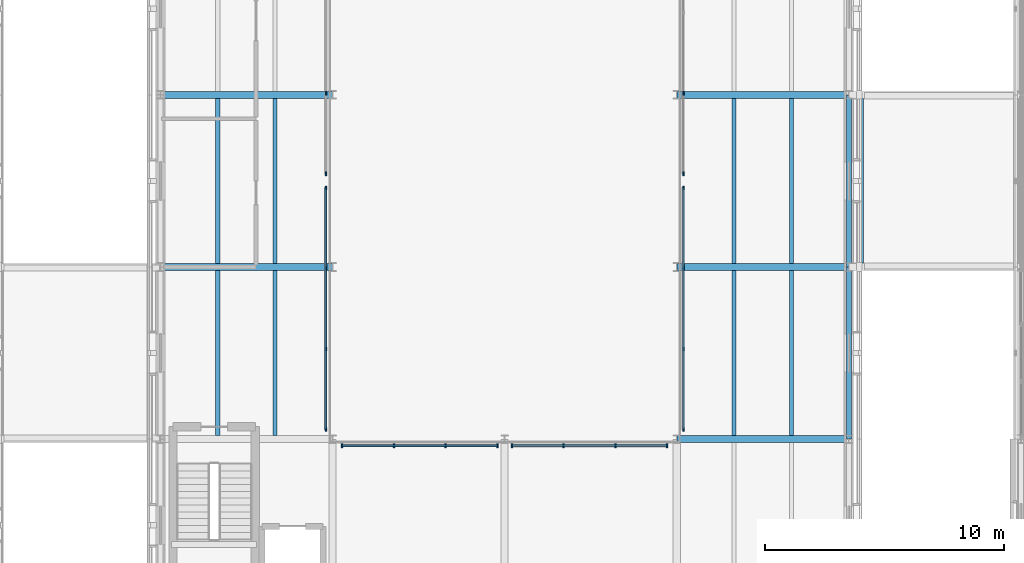
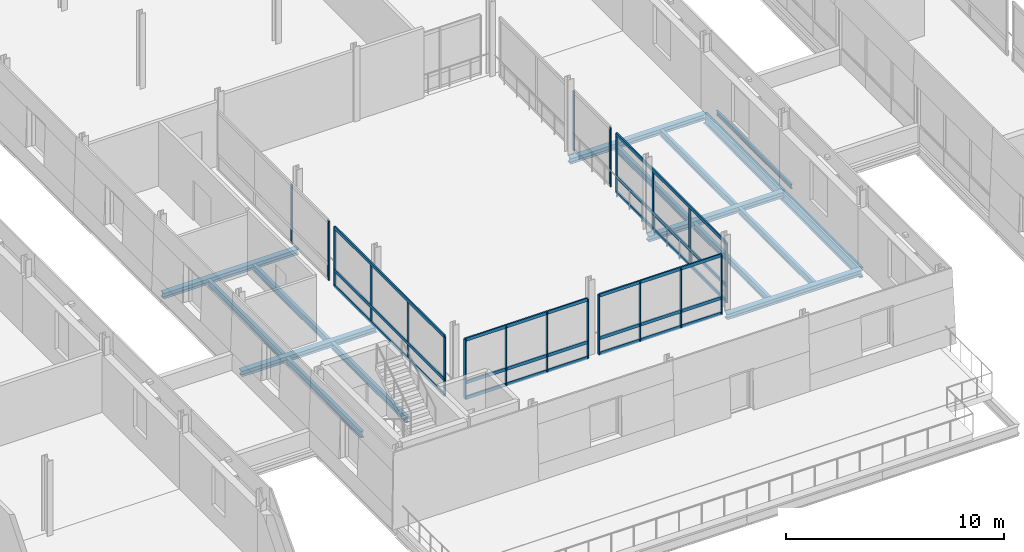
# One storey, part 18 of 91: 32 members, 16 beams, 6 elements without a shape of their own.
"""IFC4 building model written with IfcOpenShell, lengths in metres."""

import ifcopenshell
import ifcopenshell.guid

model = None  # the IFC model being written
_history = None  # IfcOwnerHistory: only IFC2X3 demands one
_inside = {}  # id of a spatial element -> (the spatial element, [elements in it])
_under = {}  # id of a project, library or spatial element -> (it, [spatial elements below it])
_declared = {}  # id of a project -> (the project, [libraries it declares])
_typed = {}  # id of a type object -> (the type object, [elements of that type])
_made_of = {}  # id of a material, layer set ... -> (it, [elements and type objects made of it])


def new_model(schema):
    """Start an empty IFC model of exactly this schema.

    Asked for "IFC4X3", IfcOpenShell would pick the latest addendum, in which some entities
    have other attributes; the version numbers below select the first issue.
    IFC2X3 requires an IfcOwnerHistory on every rooted entity: one is made here for all.
    """
    global model, _history
    if schema == "IFC4X3":
        model = ifcopenshell.file(schema_version=(4, 3, 0, 0))
    else:
        model = ifcopenshell.file(schema=schema)
    _inside.clear()
    _under.clear()
    _declared.clear()
    _typed.clear()
    _made_of.clear()
    _history = None
    if model.schema == "IFC2X3":
        org = make("IfcOrganization", Name="unknown")
        user = make(
            "IfcPersonAndOrganization",
            ThePerson=make("IfcPerson", FamilyName="unknown"),
            TheOrganization=org,
        )
        app = make(
            "IfcApplication",
            ApplicationDeveloper=org,
            Version="unknown",
            ApplicationFullName="unknown",
            ApplicationIdentifier="unknown",
        )
        _history = make(
            "IfcOwnerHistory",
            OwningUser=user,
            OwningApplication=app,
            ChangeAction="ADDED",
            CreationDate=0,
        )
    return model


def make(cls, **values):
    """One entity of the class cls with the attributes given. An attribute that is None is left unset."""
    return model.create_entity(
        cls, **{name: value for name, value in values.items() if value is not None}
    )


def rooted(cls, **values):
    """An entity with a GlobalId (a new one), such as an element, a storey or a relation."""
    return make(cls, GlobalId=ifcopenshell.guid.new(), OwnerHistory=_history, **values)


def si_unit(unit_type, name, prefix=None):
    """IfcSIUnit, for example si_unit("LENGTHUNIT", "METRE", prefix="MILLI")."""
    return make("IfcSIUnit", UnitType=unit_type, Prefix=prefix, Name=name)


def assignment(units):
    """IfcUnitAssignment: the units of a project."""
    return None if units is None else make("IfcUnitAssignment", Units=units)


def point(xyz):
    """IfcCartesianPoint."""
    return None if xyz is None else make("IfcCartesianPoint", Coordinates=xyz)


def direction(xyz):
    """IfcDirection."""
    return None if xyz is None else make("IfcDirection", DirectionRatios=xyz)


def frame(location, z_axis=None, x_axis=None):
    """IfcAxis2Placement3D, a coordinate frame: its origin and axes. An axis left out is left unset."""
    return make(
        "IfcAxis2Placement3D",
        Location=point(location),
        Axis=direction(z_axis),
        RefDirection=direction(x_axis),
    )


def frame_2d(location, x_axis=None):
    """IfcAxis2Placement2D, a coordinate frame in the plane: its origin and x axis."""
    return make(
        "IfcAxis2Placement2D", Location=point(location), RefDirection=direction(x_axis)
    )


def origin():
    """The frame at (0, 0, 0) with its axes left unset."""
    return frame((0.0, 0.0, 0.0))


def origin_2d():
    """The frame at (0, 0) in the plane with its x axis left unset."""
    return frame_2d((0.0, 0.0))


def place(relative_to, where):
    """IfcLocalPlacement: puts the frame where relative to a parent placement (None: the world)."""
    return make(
        "IfcLocalPlacement", PlacementRelTo=relative_to, RelativePlacement=where
    )


def context(
    kind, dimensions, precision=None, world=None, true_north=None, identifier=None
):
    """IfcGeometricRepresentationContext, for example the 3D "Model" context."""
    return make(
        "IfcGeometricRepresentationContext",
        ContextIdentifier=identifier,
        ContextType=kind,
        CoordinateSpaceDimension=dimensions,
        Precision=precision,
        WorldCoordinateSystem=world,
        TrueNorth=true_north,
    )


def subcontext(parent, identifier, kind, view, scale=None):
    """IfcGeometricRepresentationSubContext, for example "Body" below "Model"."""
    return make(
        "IfcGeometricRepresentationSubContext",
        ContextIdentifier=identifier,
        ContextType=kind,
        ParentContext=parent,
        TargetScale=scale,
        TargetView=view,
    )


def project(units=None, contexts=None):
    """IfcProject with its units and contexts."""
    return rooted(
        "IfcProject",
        Name="project",
        RepresentationContexts=contexts,
        UnitsInContext=assignment(units),
    )


def spatial(cls, under=None, at=None, **own):
    """A site, building, storey or space (cls), placed at a placement, below another one or the project."""
    s = rooted(cls, ObjectPlacement=at, **own)
    if under is not None:
        _under.setdefault(under.id(), (under, []))[1].append(s)
    return s


def profile(cls, at=None, kind="AREA", **sizes):
    """A parametric profile (cls). Its sizes go by their IFC names, for example OverallWidth=200.0."""
    return make(cls, ProfileType=kind, Position=at, **sizes)


def rectangle(**sizes):
    """IfcRectangleProfileDef."""
    return profile("IfcRectangleProfileDef", **sizes)


def i_section(**sizes):
    """IfcIShapeProfileDef."""
    return profile("IfcIShapeProfileDef", **sizes)


def extrude(swept, where, along, depth):
    """IfcExtrudedAreaSolid: the profile swept, set in the frame where, extruded along a direction by depth."""
    return make(
        "IfcExtrudedAreaSolid",
        SweptArea=swept,
        Position=where,
        ExtrudedDirection=direction(along),
        Depth=depth,
    )


def shape(context_of_items, identifier, shape_type, items):
    """IfcShapeRepresentation: the items that make up one representation, for example the "Body"."""
    return make(
        "IfcShapeRepresentation",
        ContextOfItems=context_of_items,
        RepresentationIdentifier=identifier,
        RepresentationType=shape_type,
        Items=items,
    )


def material(Name=None, Category=None):
    """IfcMaterial."""
    return make("IfcMaterial", Name=Name, Category=Category)


def layer(
    of_material, thickness, ventilated=None, Name=None, Category=None, Priority=None
):
    """IfcMaterialLayer: one layer of a wall or slab, of a material (None: an air gap)."""
    return make(
        "IfcMaterialLayer",
        Material=of_material,
        LayerThickness=thickness,
        IsVentilated=ventilated,
        Name=Name,
        Category=Category,
        Priority=Priority,
    )


def layer_set(layers, Name=None):
    """IfcMaterialLayerSet."""
    return make("IfcMaterialLayerSet", MaterialLayers=layers, LayerSetName=Name)


def material_profile(
    of_material, cross_section, Name=None, Category=None, Priority=None
):
    """IfcMaterialProfile: a cross section and its material."""
    return make(
        "IfcMaterialProfile",
        Name=Name,
        Material=of_material,
        Profile=cross_section,
        Priority=Priority,
        Category=Category,
    )


def profile_set(profiles, Name=None, composite=None):
    """IfcMaterialProfileSet."""
    return make(
        "IfcMaterialProfileSet",
        Name=Name,
        MaterialProfiles=profiles,
        CompositeProfile=composite,
    )


def made_of(thing, what):
    """Note that an element or type object is made of a material, layer set ...; save() writes the relation."""
    if what is not None:
        _made_of.setdefault(what.id(), (what, []))[1].append(thing)
    return thing


def type_object(cls, material=None, **own):
    """A type object (cls), such as IfcWallType, which elements share."""
    return made_of(rooted(cls, **own), material)


def element(
    cls,
    number,
    at=None,
    inside=None,
    cuts=None,
    type_object=None,
    material=None,
    context=None,
    identifier="Body",
    shape_type=None,
    held_by="IfcProductDefinitionShape",
    body=None,
    shapes=None,
    **own,
):
    """One element of the class cls, such as IfcWall. Its Tag is "e" and its number.

    at: its placement. inside: the storey or other place that contains it. cuts: it is an
    opening in that element (IfcRelVoidsElement). A single representation is given by context,
    identifier, shape_type and body (its items); several are given by shapes. held_by: the class
    of the entity that holds the representations. save() writes the other relations.
    """
    e = rooted(cls, Tag="e%d" % number, ObjectPlacement=at, **own)
    if body is not None:
        shapes = [shape(context, identifier, shape_type, body)]
    if shapes is not None:
        e.Representation = make(held_by, Representations=shapes)
    if inside is not None:
        _inside.setdefault(inside.id(), (inside, []))[1].append(e)
    if cuts is not None:
        rooted(
            "IfcRelVoidsElement", RelatingBuildingElement=cuts, RelatedOpeningElement=e
        )
    if type_object is not None:
        _typed.setdefault(type_object.id(), (type_object, []))[1].append(e)
    return made_of(e, material)


def aggregate(whole, parts):
    """IfcRelAggregates: a whole, such as a stair, and the parts it consists of."""
    return rooted("IfcRelAggregates", RelatingObject=whole, RelatedObjects=parts)


def save(model, path):
    """Write the relations noted so far, then the file.

    IfcRelAggregates (storeys below a building ...), IfcRelContainedInSpatialStructure (elements
    in a storey), IfcRelDefinesByType, IfcRelAssociatesMaterial and IfcRelDeclares: one each for
    every whole, place, type object, material and project.
    """
    for whole, parts in _under.values():
        aggregate(whole, parts)
    for where, things in _inside.values():
        rooted(
            "IfcRelContainedInSpatialStructure",
            RelatedElements=things,
            RelatingStructure=where,
        )
    for kind, things in _typed.values():
        rooted("IfcRelDefinesByType", RelatedObjects=things, RelatingType=kind)
    for what, things in _made_of.values():
        rooted("IfcRelAssociatesMaterial", RelatedObjects=things, RelatingMaterial=what)
    for by, libraries in _declared.values():
        rooted("IfcRelDeclares", RelatingContext=by, RelatedDefinitions=libraries)
    model.write(path)


model = new_model("IFC4")

# Units and contexts
model_context = context("Model", 3, precision=1e-05, world=origin(), true_north=direction((0.0, 1.0)))
body_context = subcontext(model_context, "Body", "Model", "MODEL_VIEW")
ifc_project = project(units=[si_unit("LENGTHUNIT", "METRE"), si_unit("AREAUNIT", "SQUARE_METRE"), si_unit("VOLUMEUNIT", "CUBIC_METRE"), si_unit("PLANEANGLEUNIT", "RADIAN"), si_unit("MASSUNIT", "GRAM", prefix="KILO")], contexts=[model_context])

# Site, building, storey
site_placement = place(None, origin())
site = spatial("IfcSite", under=ifc_project, at=site_placement, CompositionType="ELEMENT")
building_placement = place(site_placement, origin())
building = spatial("IfcBuilding", under=site, at=building_placement, Name="Narikvali Park Central Library", CompositionType="ELEMENT")
storey_placement = place(building_placement, frame((0.0, 0.0, 14.39990234375)))
storey = spatial("IfcBuildingStorey", under=building, at=storey_placement, Name="L03", CompositionType="ELEMENT", Elevation=14.39990234375)

# Curtain wall, members
ifc_material_1 = material(Name="Anodised Bronze Aluminium", Category="aluminium")
ifc_layer = layer(ifc_material_1, 0.219970703125, Name="Anodised Bronze Aluminium")
ifc_layer_set = layer_set([ifc_layer], Name="Anodised Bronze Aluminium")
curtain_wall_type = type_object("IfcCurtainWallType", Name="Atrium Tall Curtain Wall System", PredefinedType="NOTDEFINED", material=ifc_layer_set)
curtain_wall_1_placement = place(storey_placement, origin())
curtain_wall_1 = element("IfcCurtainWall", 1, at=curtain_wall_1_placement, inside=storey, type_object=curtain_wall_type, Name="Atrium Tall Curtain Wall System CW-INT-V4-L03-W1", PredefinedType="NOTDEFINED")
ifc_material_profile_1 = material_profile(ifc_material_1, rectangle(XDim=0.074951171875, YDim=0.179931640625, at=origin_2d()), Name="CW TRANSOM 75x180")
ifc_profile_set_1 = profile_set([ifc_material_profile_1], Name="Anodised Bronze Aluminium")
member_type_1 = type_object("IfcMemberType", Name="Curtain Wall Heavy Transom 75x180", PredefinedType="USERDEFINED", material=ifc_profile_set_1)
member_1_placement = place(storey_placement, frame((35.719970703125, 65.199951171875, 0.030029296875), z_axis=(0.0, 1.0, 0.0), x_axis=(-1.0, 0.0, 0.0)))
member_1 = element("IfcMember", 2, at=member_1_placement, type_object=member_type_1, Name="CW-INT-V4-L03-W1 Transom 00", ObjectType="TRANSOM", PredefinedType="USERDEFINED", context=body_context, shape_type="SweptSolid", body=[
    extrude(rectangle(XDim=0.074951171875, YDim=0.179931640625, at=origin_2d()), origin(), (0.0, 0.0, 1.0), 10.10009765625),
])
member_2_placement = place(storey_placement, frame((35.719970703125, 65.199951171875, 0.900146484375), z_axis=(0.0, 1.0, 0.0), x_axis=(-1.0, 0.0, 0.0)))
member_2 = element("IfcMember", 3, at=member_2_placement, type_object=member_type_1, Name="CW-INT-V4-L03-W1 Transom 01", ObjectType="TRANSOM", PredefinedType="USERDEFINED", context=body_context, shape_type="SweptSolid", body=[
    extrude(rectangle(XDim=0.074951171875, YDim=0.179931640625, at=origin_2d()), origin(), (0.0, 0.0, 1.0), 10.10009765625),
])
member_3_placement = place(storey_placement, frame((35.719970703125, 65.199951171875, 3.2900390625), z_axis=(0.0, 1.0, 0.0), x_axis=(-1.0, 0.0, 0.0)))
member_3 = element("IfcMember", 4, at=member_3_placement, type_object=member_type_1, Name="CW-INT-V4-L03-W1 Transom 02", ObjectType="TRANSOM", PredefinedType="USERDEFINED", context=body_context, shape_type="SweptSolid", body=[
    extrude(rectangle(XDim=0.074951171875, YDim=0.179931640625, at=origin_2d()), origin(), (0.0, 0.0, 1.0), 10.10009765625),
])

curtain_wall_2_placement = place(storey_placement, origin())
curtain_wall_2 = element("IfcCurtainWall", 5, at=curtain_wall_2_placement, inside=storey, type_object=curtain_wall_type, Name="Atrium Tall Curtain Wall System CW-INT-V4-L03-E1", PredefinedType="NOTDEFINED")
member_4_placement = place(storey_placement, frame((50.679931640625, 65.199951171875, 0.030029296875), z_axis=(0.0, 1.0, 0.0), x_axis=(-1.0, 0.0, 0.0)))
member_4 = element("IfcMember", 6, at=member_4_placement, type_object=member_type_1, Name="CW-INT-V4-L03-E1 Transom 00", ObjectType="TRANSOM", PredefinedType="USERDEFINED", context=body_context, shape_type="SweptSolid", body=[
    extrude(rectangle(XDim=0.074951171875, YDim=0.179931640625, at=origin_2d()), origin(), (0.0, 0.0, 1.0), 10.10009765625),
])
member_5_placement = place(storey_placement, frame((50.679931640625, 65.199951171875, 0.900146484375), z_axis=(0.0, 1.0, 0.0), x_axis=(-1.0, 0.0, 0.0)))
member_5 = element("IfcMember", 7, at=member_5_placement, type_object=member_type_1, Name="CW-INT-V4-L03-E1 Transom 01", ObjectType="TRANSOM", PredefinedType="USERDEFINED", context=body_context, shape_type="SweptSolid", body=[
    extrude(rectangle(XDim=0.074951171875, YDim=0.179931640625, at=origin_2d()), origin(), (0.0, 0.0, 1.0), 10.10009765625),
])
member_6_placement = place(storey_placement, frame((50.679931640625, 65.199951171875, 3.2900390625), z_axis=(0.0, 1.0, 0.0), x_axis=(-1.0, 0.0, 0.0)))
member_6 = element("IfcMember", 8, at=member_6_placement, type_object=member_type_1, Name="CW-INT-V4-L03-E1 Transom 02", ObjectType="TRANSOM", PredefinedType="USERDEFINED", context=body_context, shape_type="SweptSolid", body=[
    extrude(rectangle(XDim=0.074951171875, YDim=0.179931640625, at=origin_2d()), origin(), (0.0, 0.0, 1.0), 10.10009765625),
])

curtain_wall_3_placement = place(storey_placement, origin())
curtain_wall_3 = element("IfcCurtainWall", 9, at=curtain_wall_3_placement, inside=storey, type_object=curtain_wall_type, Name="Atrium Tall Curtain Wall System CW-INT-V4-L03-S1", PredefinedType="NOTDEFINED")
member_7_placement = place(storey_placement, frame((36.39990234375, 64.52001953125, 0.030029296875), z_axis=(1.0, 0.0, 0.0), x_axis=(0.0, 1.0, 0.0)))
member_7 = element("IfcMember", 10, at=member_7_placement, type_object=member_type_1, Name="CW-INT-V4-L03-S1 Transom 00", ObjectType="TRANSOM", PredefinedType="USERDEFINED", context=body_context, shape_type="SweptSolid", body=[
    extrude(rectangle(XDim=0.074951171875, YDim=0.179931640625, at=origin_2d()), origin(), (0.0, 0.0, 1.0), 6.5),
])
member_8_placement = place(storey_placement, frame((36.39990234375, 64.52001953125, 0.900146484375), z_axis=(1.0, 0.0, 0.0), x_axis=(0.0, 1.0, 0.0)))
member_8 = element("IfcMember", 11, at=member_8_placement, type_object=member_type_1, Name="CW-INT-V4-L03-S1 Transom 01", ObjectType="TRANSOM", PredefinedType="USERDEFINED", context=body_context, shape_type="SweptSolid", body=[
    extrude(rectangle(XDim=0.074951171875, YDim=0.179931640625, at=origin_2d()), origin(), (0.0, 0.0, 1.0), 6.5),
])
member_9_placement = place(storey_placement, frame((36.39990234375, 64.52001953125, 3.2900390625), z_axis=(1.0, 0.0, 0.0), x_axis=(0.0, 1.0, 0.0)))
member_9 = element("IfcMember", 12, at=member_9_placement, type_object=member_type_1, Name="CW-INT-V4-L03-S1 Transom 02", ObjectType="TRANSOM", PredefinedType="USERDEFINED", context=body_context, shape_type="SweptSolid", body=[
    extrude(rectangle(XDim=0.074951171875, YDim=0.179931640625, at=origin_2d()), origin(), (0.0, 0.0, 1.0), 6.5),
])

curtain_wall_4_placement = place(storey_placement, origin())
curtain_wall_4 = element("IfcCurtainWall", 13, at=curtain_wall_4_placement, inside=storey, type_object=curtain_wall_type, Name="Atrium Tall Curtain Wall System CW-INT-V4-L03-S2", PredefinedType="NOTDEFINED")
member_10_placement = place(storey_placement, frame((43.5, 64.52001953125, 0.030029296875), z_axis=(1.0, 0.0, 0.0), x_axis=(0.0, 1.0, 0.0)))
member_10 = element("IfcMember", 14, at=member_10_placement, type_object=member_type_1, Name="CW-INT-V4-L03-S2 Transom 00", ObjectType="TRANSOM", PredefinedType="USERDEFINED", context=body_context, shape_type="SweptSolid", body=[
    extrude(rectangle(XDim=0.074951171875, YDim=0.179931640625, at=origin_2d()), origin(), (0.0, 0.0, 1.0), 6.5),
])
member_11_placement = place(storey_placement, frame((43.5, 64.52001953125, 0.900146484375), z_axis=(1.0, 0.0, 0.0), x_axis=(0.0, 1.0, 0.0)))
member_11 = element("IfcMember", 15, at=member_11_placement, type_object=member_type_1, Name="CW-INT-V4-L03-S2 Transom 01", ObjectType="TRANSOM", PredefinedType="USERDEFINED", context=body_context, shape_type="SweptSolid", body=[
    extrude(rectangle(XDim=0.074951171875, YDim=0.179931640625, at=origin_2d()), origin(), (0.0, 0.0, 1.0), 6.5),
])
member_12_placement = place(storey_placement, frame((43.5, 64.52001953125, 3.2900390625), z_axis=(1.0, 0.0, 0.0), x_axis=(0.0, 1.0, 0.0)))
member_12 = element("IfcMember", 16, at=member_12_placement, type_object=member_type_1, Name="CW-INT-V4-L03-S2 Transom 02", ObjectType="TRANSOM", PredefinedType="USERDEFINED", context=body_context, shape_type="SweptSolid", body=[
    extrude(rectangle(XDim=0.074951171875, YDim=0.179931640625, at=origin_2d()), origin(), (0.0, 0.0, 1.0), 6.5),
])

# Member
ifc_material_profile_2 = material_profile(ifc_material_1, rectangle(XDim=0.06005859375, YDim=0.14990234375, at=origin_2d()), Name="CW MULLION 60x150")
ifc_profile_set_2 = profile_set([ifc_material_profile_2], Name="Anodised Bronze Aluminium")
member_type_2 = type_object("IfcMemberType", Name="Curtain Wall Mullion 60x150", PredefinedType="MULLION", material=ifc_profile_set_2)
member_13_placement = place(storey_placement, frame((35.719970703125, 65.199951171875, -0.010009765625), z_axis=(0.0, 0.0, 1.0), x_axis=(1.0, 0.0, 0.0)))
member_13 = element("IfcMember", 17, at=member_13_placement, type_object=member_type_2, Name="CW-INT-V4-L03-W1 Mullion 00", PredefinedType="MULLION", context=body_context, shape_type="SweptSolid", body=[
    extrude(rectangle(XDim=0.06005859375, YDim=0.14990234375, at=origin_2d()), origin(), (0.0, 0.0, 1.0), 3.330078125),
])

member_14_placement = place(storey_placement, frame((35.719970703125, 68.566650390625, -0.010009765625), z_axis=(0.0, 0.0, 1.0), x_axis=(1.0, 0.0, 0.0)))
member_14 = element("IfcMember", 18, at=member_14_placement, type_object=member_type_2, Name="CW-INT-V4-L03-W1 Mullion 01", PredefinedType="MULLION", context=body_context, shape_type="SweptSolid", body=[
    extrude(rectangle(XDim=0.06005859375, YDim=0.14990234375, at=origin_2d()), origin(), (0.0, 0.0, 1.0), 3.330078125),
])

member_15_placement = place(storey_placement, frame((35.719970703125, 71.933349609375, -0.010009765625), z_axis=(0.0, 0.0, 1.0), x_axis=(1.0, 0.0, 0.0)))
member_15 = element("IfcMember", 19, at=member_15_placement, type_object=member_type_2, Name="CW-INT-V4-L03-W1 Mullion 02", PredefinedType="MULLION", context=body_context, shape_type="SweptSolid", body=[
    extrude(rectangle(XDim=0.06005859375, YDim=0.14990234375, at=origin_2d()), origin(), (0.0, 0.0, 1.0), 3.330078125),
])

member_16_placement = place(storey_placement, frame((35.719970703125, 75.300048828125, -0.010009765625), z_axis=(0.0, 0.0, 1.0), x_axis=(1.0, 0.0, 0.0)))
member_16 = element("IfcMember", 20, at=member_16_placement, type_object=member_type_2, Name="CW-INT-V4-L03-W1 Mullion 03", PredefinedType="MULLION", context=body_context, shape_type="SweptSolid", body=[
    extrude(rectangle(XDim=0.06005859375, YDim=0.14990234375, at=origin_2d()), origin(), (0.0, 0.0, 1.0), 3.330078125),
])

aggregate(curtain_wall_1, [member_13, member_14, member_15, member_16, member_1, member_2, member_3])

# Curtain wall, members
curtain_wall_5_placement = place(storey_placement, origin())
curtain_wall_5 = element("IfcCurtainWall", 21, at=curtain_wall_5_placement, inside=storey, type_object=curtain_wall_type, Name="Atrium Tall Curtain Wall System CW-INT-V4-L03-W2", PredefinedType="NOTDEFINED")
member_17_placement = place(storey_placement, frame((35.719970703125, 75.89990234375, -0.010009765625), z_axis=(0.0, 0.0, 1.0), x_axis=(1.0, 0.0, 0.0)))
member_17 = element("IfcMember", 22, at=member_17_placement, type_object=member_type_2, Name="CW-INT-V4-L03-W2 Mullion 00", PredefinedType="MULLION", context=body_context, shape_type="SweptSolid", body=[
    extrude(rectangle(XDim=0.06005859375, YDim=0.14990234375, at=origin_2d()), origin(), (0.0, 0.0, 1.0), 3.330078125),
])
member_18_placement = place(storey_placement, frame((35.719970703125, 79.2666015625, -0.010009765625), z_axis=(0.0, 0.0, 1.0), x_axis=(1.0, 0.0, 0.0)))
member_18 = element("IfcMember", 23, at=member_18_placement, type_object=member_type_2, Name="CW-INT-V4-L03-W2 Mullion 01", PredefinedType="MULLION", context=body_context, shape_type="SweptSolid", body=[
    extrude(rectangle(XDim=0.06005859375, YDim=0.14990234375, at=origin_2d()), origin(), (0.0, 0.0, 1.0), 3.330078125),
])
aggregate(curtain_wall_5, [member_17, member_18])

# Member
member_19_placement = place(storey_placement, frame((50.679931640625, 65.199951171875, -0.010009765625), z_axis=(0.0, 0.0, 1.0), x_axis=(1.0, 0.0, 0.0)))
member_19 = element("IfcMember", 24, at=member_19_placement, type_object=member_type_2, Name="CW-INT-V4-L03-E1 Mullion 00", PredefinedType="MULLION", context=body_context, shape_type="SweptSolid", body=[
    extrude(rectangle(XDim=0.06005859375, YDim=0.14990234375, at=origin_2d()), origin(), (0.0, 0.0, 1.0), 3.330078125),
])

member_20_placement = place(storey_placement, frame((50.679931640625, 68.566650390625, -0.010009765625), z_axis=(0.0, 0.0, 1.0), x_axis=(1.0, 0.0, 0.0)))
member_20 = element("IfcMember", 25, at=member_20_placement, type_object=member_type_2, Name="CW-INT-V4-L03-E1 Mullion 01", PredefinedType="MULLION", context=body_context, shape_type="SweptSolid", body=[
    extrude(rectangle(XDim=0.06005859375, YDim=0.14990234375, at=origin_2d()), origin(), (0.0, 0.0, 1.0), 3.330078125),
])

member_21_placement = place(storey_placement, frame((50.679931640625, 71.933349609375, -0.010009765625), z_axis=(0.0, 0.0, 1.0), x_axis=(1.0, 0.0, 0.0)))
member_21 = element("IfcMember", 26, at=member_21_placement, type_object=member_type_2, Name="CW-INT-V4-L03-E1 Mullion 02", PredefinedType="MULLION", context=body_context, shape_type="SweptSolid", body=[
    extrude(rectangle(XDim=0.06005859375, YDim=0.14990234375, at=origin_2d()), origin(), (0.0, 0.0, 1.0), 3.330078125),
])

member_22_placement = place(storey_placement, frame((50.679931640625, 75.300048828125, -0.010009765625), z_axis=(0.0, 0.0, 1.0), x_axis=(1.0, 0.0, 0.0)))
member_22 = element("IfcMember", 27, at=member_22_placement, type_object=member_type_2, Name="CW-INT-V4-L03-E1 Mullion 03", PredefinedType="MULLION", context=body_context, shape_type="SweptSolid", body=[
    extrude(rectangle(XDim=0.06005859375, YDim=0.14990234375, at=origin_2d()), origin(), (0.0, 0.0, 1.0), 3.330078125),
])

aggregate(curtain_wall_2, [member_19, member_20, member_21, member_22, member_4, member_5, member_6])

# Curtain wall, members
curtain_wall_6_placement = place(storey_placement, origin())
curtain_wall_6 = element("IfcCurtainWall", 28, at=curtain_wall_6_placement, inside=storey, type_object=curtain_wall_type, Name="Atrium Tall Curtain Wall System CW-INT-V4-L03-E2", PredefinedType="NOTDEFINED")
member_23_placement = place(storey_placement, frame((50.679931640625, 75.89990234375, -0.010009765625), z_axis=(0.0, 0.0, 1.0), x_axis=(1.0, 0.0, 0.0)))
member_23 = element("IfcMember", 29, at=member_23_placement, type_object=member_type_2, Name="CW-INT-V4-L03-E2 Mullion 00", PredefinedType="MULLION", context=body_context, shape_type="SweptSolid", body=[
    extrude(rectangle(XDim=0.06005859375, YDim=0.14990234375, at=origin_2d()), origin(), (0.0, 0.0, 1.0), 3.330078125),
])
member_24_placement = place(storey_placement, frame((50.679931640625, 79.2666015625, -0.010009765625), z_axis=(0.0, 0.0, 1.0), x_axis=(1.0, 0.0, 0.0)))
member_24 = element("IfcMember", 30, at=member_24_placement, type_object=member_type_2, Name="CW-INT-V4-L03-E2 Mullion 01", PredefinedType="MULLION", context=body_context, shape_type="SweptSolid", body=[
    extrude(rectangle(XDim=0.06005859375, YDim=0.14990234375, at=origin_2d()), origin(), (0.0, 0.0, 1.0), 3.330078125),
])
aggregate(curtain_wall_6, [member_23, member_24])

# Member
member_25_placement = place(storey_placement, frame((36.39990234375, 64.52001953125, -0.010009765625), z_axis=(0.0, 0.0, 1.0), x_axis=(1.0, 0.0, 0.0)))
member_25 = element("IfcMember", 31, at=member_25_placement, type_object=member_type_2, Name="CW-INT-V4-L03-S1 Mullion 00", PredefinedType="MULLION", context=body_context, shape_type="SweptSolid", body=[
    extrude(rectangle(XDim=0.06005859375, YDim=0.14990234375, at=origin_2d()), origin(), (0.0, 0.0, 1.0), 3.330078125),
])

member_26_placement = place(storey_placement, frame((38.566650390625, 64.52001953125, -0.010009765625), z_axis=(0.0, 0.0, 1.0), x_axis=(1.0, 0.0, 0.0)))
member_26 = element("IfcMember", 32, at=member_26_placement, type_object=member_type_2, Name="CW-INT-V4-L03-S1 Mullion 01", PredefinedType="MULLION", context=body_context, shape_type="SweptSolid", body=[
    extrude(rectangle(XDim=0.06005859375, YDim=0.14990234375, at=origin_2d()), origin(), (0.0, 0.0, 1.0), 3.330078125),
])

member_27_placement = place(storey_placement, frame((40.7333984375, 64.52001953125, -0.010009765625), z_axis=(0.0, 0.0, 1.0), x_axis=(1.0, 0.0, 0.0)))
member_27 = element("IfcMember", 33, at=member_27_placement, type_object=member_type_2, Name="CW-INT-V4-L03-S1 Mullion 02", PredefinedType="MULLION", context=body_context, shape_type="SweptSolid", body=[
    extrude(rectangle(XDim=0.06005859375, YDim=0.14990234375, at=origin_2d()), origin(), (0.0, 0.0, 1.0), 3.330078125),
])

member_28_placement = place(storey_placement, frame((42.89990234375, 64.52001953125, -0.010009765625), z_axis=(0.0, 0.0, 1.0), x_axis=(1.0, 0.0, 0.0)))
member_28 = element("IfcMember", 34, at=member_28_placement, type_object=member_type_2, Name="CW-INT-V4-L03-S1 Mullion 03", PredefinedType="MULLION", context=body_context, shape_type="SweptSolid", body=[
    extrude(rectangle(XDim=0.06005859375, YDim=0.14990234375, at=origin_2d()), origin(), (0.0, 0.0, 1.0), 3.330078125),
])

aggregate(curtain_wall_3, [member_25, member_26, member_27, member_28, member_7, member_8, member_9])

member_29_placement = place(storey_placement, frame((43.5, 64.52001953125, -0.010009765625), z_axis=(0.0, 0.0, 1.0), x_axis=(1.0, 0.0, 0.0)))
member_29 = element("IfcMember", 35, at=member_29_placement, type_object=member_type_2, Name="CW-INT-V4-L03-S2 Mullion 00", PredefinedType="MULLION", context=body_context, shape_type="SweptSolid", body=[
    extrude(rectangle(XDim=0.06005859375, YDim=0.14990234375, at=origin_2d()), origin(), (0.0, 0.0, 1.0), 3.330078125),
])

member_30_placement = place(storey_placement, frame((45.666748046875, 64.52001953125, -0.010009765625), z_axis=(0.0, 0.0, 1.0), x_axis=(1.0, 0.0, 0.0)))
member_30 = element("IfcMember", 36, at=member_30_placement, type_object=member_type_2, Name="CW-INT-V4-L03-S2 Mullion 01", PredefinedType="MULLION", context=body_context, shape_type="SweptSolid", body=[
    extrude(rectangle(XDim=0.06005859375, YDim=0.14990234375, at=origin_2d()), origin(), (0.0, 0.0, 1.0), 3.330078125),
])

member_31_placement = place(storey_placement, frame((47.833251953125, 64.52001953125, -0.010009765625), z_axis=(0.0, 0.0, 1.0), x_axis=(1.0, 0.0, 0.0)))
member_31 = element("IfcMember", 37, at=member_31_placement, type_object=member_type_2, Name="CW-INT-V4-L03-S2 Mullion 02", PredefinedType="MULLION", context=body_context, shape_type="SweptSolid", body=[
    extrude(rectangle(XDim=0.06005859375, YDim=0.14990234375, at=origin_2d()), origin(), (0.0, 0.0, 1.0), 3.330078125),
])

member_32_placement = place(storey_placement, frame((50.0, 64.52001953125, -0.010009765625), z_axis=(0.0, 0.0, 1.0), x_axis=(1.0, 0.0, 0.0)))
member_32 = element("IfcMember", 38, at=member_32_placement, type_object=member_type_2, Name="CW-INT-V4-L03-S2 Mullion 03", PredefinedType="MULLION", context=body_context, shape_type="SweptSolid", body=[
    extrude(rectangle(XDim=0.06005859375, YDim=0.14990234375, at=origin_2d()), origin(), (0.0, 0.0, 1.0), 3.330078125),
])

aggregate(curtain_wall_4, [member_29, member_30, member_31, member_32, member_10, member_11, member_12])

# Beams
ifc_material_2 = material(Name="Steel S355", Category="steel")
ifc_material_profile_3 = material_profile(ifc_material_2, i_section(OverallWidth=0.2099609375, OverallDepth=0.550048828125, WebThickness=0.010986328125, FlangeThickness=0.01708984375, FilletRadius=0.02392578125, at=origin_2d()), Name="IPE 550")
ifc_profile_set_3 = profile_set([ifc_material_profile_3], Name="Steel S355")
beam_type_1 = type_object("IfcBeamType", Name="Perimeter Spandrel IPE550", PredefinedType="SPANDREL", material=ifc_profile_set_3)
for number, where, z_axis, x_axis, name in (
    (39, (57.60009765625, 64.80810546875, -0.554931640625), (0.0, 1.0, 0.0), (-1.0, 0.0, 0.0), "V4 L03 Girder Y"),
    (40, (57.60009765625, 72.008056640625, -0.554931640625), (0.0, 1.0, 0.0), (-1.0, 0.0, 0.0), "V4 L03 Girder Y"),
):
    element("IfcBeam", number, at=place(storey_placement, frame(where, z_axis=z_axis, x_axis=x_axis)), inside=storey, type_object=beam_type_1, Name=name, PredefinedType="SPANDREL", context=body_context, shape_type="SweptSolid", body=[
        extrude(i_section(OverallWidth=0.2099609375, OverallDepth=0.550048828125, WebThickness=0.010986328125, FlangeThickness=0.01708984375, FilletRadius=0.02392578125, at=origin_2d()), origin(), (0.0, 0.0, 1.0), 7.183837890625),
    ])
ifc_material_profile_4 = material_profile(ifc_material_2, i_section(OverallWidth=0.1201171875, OverallDepth=0.239990234375, WebThickness=0.006103515625, FlangeThickness=0.009765625, FilletRadius=0.014892578125, at=origin_2d()), Name="IPE 240")
ifc_profile_set_4 = profile_set([ifc_material_profile_4], Name="Steel S355")
beam_type_2 = type_object("IfcBeamType", Name="Portal Steel Lintel IPE240", PredefinedType="LINTEL", material=ifc_profile_set_4)
beam_1_placement = place(storey_placement, frame((58.14990234375, 72.159912109375, -0.35986328125), z_axis=(0.0, 1.0, 0.0), x_axis=(-1.0, 0.0, 0.0)))
element("IfcBeam", 41, at=beam_1_placement, inside=storey, type_object=beam_type_2, Name="BRG-2 L03 Portal Transverse Lintel", PredefinedType="LINTEL", context=body_context, shape_type="SweptSolid", body=[
    extrude(i_section(OverallWidth=0.1201171875, OverallDepth=0.239990234375, WebThickness=0.006103515625, FlangeThickness=0.009765625, FilletRadius=0.014892578125, at=origin_2d()), origin(), (0.0, 0.0, 1.0), 6.880126953125),
])
ifc_material_profile_5 = material_profile(ifc_material_2, i_section(OverallWidth=0.300048828125, OverallDepth=0.31005859375, WebThickness=0.009033203125, FlangeThickness=0.015380859375, FilletRadius=0.027099609375, at=origin_2d()), Name="HEA 320")
ifc_profile_set_5 = profile_set([ifc_material_profile_5], Name="Steel S355")
beam_type_3 = type_object("IfcBeamType", Name="Primary Girder HEA320", PredefinedType="BEAM", material=ifc_profile_set_5)
beam_2_placement = place(storey_placement, frame((50.407958984375, 64.800048828125, -0.434814453125), z_axis=(1.0, 0.0, 0.0), x_axis=(0.0, 1.0, 0.0)))
element("IfcBeam", 42, at=beam_2_placement, inside=storey, type_object=beam_type_3, Name="V4 L03 Girder X", PredefinedType="BEAM", context=body_context, shape_type="SweptSolid", body=[
    extrude(i_section(OverallWidth=0.300048828125, OverallDepth=0.31005859375, WebThickness=0.009033203125, FlangeThickness=0.015380859375, FilletRadius=0.027099609375, at=origin_2d()), origin(), (0.0, 0.0, 1.0), 7.18408203125),
])
beam_3_placement = place(storey_placement, frame((28.80810546875, 72.0, -0.434814453125), z_axis=(1.0, 0.0, 0.0), x_axis=(0.0, 1.0, 0.0)))
element("IfcBeam", 43, at=beam_3_placement, inside=storey, type_object=beam_type_3, Name="V4 L03 Girder X", PredefinedType="BEAM", context=body_context, shape_type="SweptSolid", body=[
    extrude(i_section(OverallWidth=0.300048828125, OverallDepth=0.31005859375, WebThickness=0.009033203125, FlangeThickness=0.015380859375, FilletRadius=0.027099609375, at=origin_2d()), origin(), (0.0, 0.0, 1.0), 7.183837890625),
])
beam_4_placement = place(storey_placement, frame((50.407958984375, 72.0, -0.434814453125), z_axis=(1.0, 0.0, 0.0), x_axis=(0.0, 1.0, 0.0)))
element("IfcBeam", 44, at=beam_4_placement, inside=storey, type_object=beam_type_3, Name="V4 L03 Girder X", PredefinedType="BEAM", context=body_context, shape_type="SweptSolid", body=[
    extrude(i_section(OverallWidth=0.300048828125, OverallDepth=0.31005859375, WebThickness=0.009033203125, FlangeThickness=0.015380859375, FilletRadius=0.027099609375, at=origin_2d()), origin(), (0.0, 0.0, 1.0), 7.18408203125),
])
beam_5_placement = place(storey_placement, frame((28.80810546875, 79.199951171875, -0.434814453125), z_axis=(1.0, 0.0, 0.0), x_axis=(0.0, 1.0, 0.0)))
element("IfcBeam", 45, at=beam_5_placement, inside=storey, type_object=beam_type_3, Name="V4 L03 Girder X", PredefinedType="BEAM", context=body_context, shape_type="SweptSolid", body=[
    extrude(i_section(OverallWidth=0.300048828125, OverallDepth=0.31005859375, WebThickness=0.009033203125, FlangeThickness=0.015380859375, FilletRadius=0.027099609375, at=origin_2d()), origin(), (0.0, 0.0, 1.0), 7.183837890625),
])
beam_6_placement = place(storey_placement, frame((50.407958984375, 79.199951171875, -0.434814453125), z_axis=(1.0, 0.0, 0.0), x_axis=(0.0, 1.0, 0.0)))
element("IfcBeam", 46, at=beam_6_placement, inside=storey, type_object=beam_type_3, Name="V4 L03 Girder X", PredefinedType="BEAM", context=body_context, shape_type="SweptSolid", body=[
    extrude(i_section(OverallWidth=0.300048828125, OverallDepth=0.31005859375, WebThickness=0.009033203125, FlangeThickness=0.015380859375, FilletRadius=0.027099609375, at=origin_2d()), origin(), (0.0, 0.0, 1.0), 7.18408203125),
])
ifc_material_profile_6 = material_profile(ifc_material_2, i_section(OverallWidth=0.172119140625, OverallDepth=0.364013671875, WebThickness=0.00927734375, FlangeThickness=0.0146484375, FilletRadius=0.01806640625, at=origin_2d()), Name="IPEO 360")
ifc_profile_set_6 = profile_set([ifc_material_profile_6], Name="Steel S355")
beam_type_4 = type_object("IfcBeamType", Name="Upper Study Joist IPEO360", PredefinedType="JOIST", material=ifc_profile_set_6)
for number, where, z_axis, x_axis, name in (
    (47, (31.199951171875, 64.949951171875, -0.4619140625), (0.0, 1.0, 0.0), (-1.0, 0.0, 0.0), "V4 L03 Composite Joist 1"),
    (48, (33.60009765625, 64.949951171875, -0.4619140625), (0.0, 1.0, 0.0), (-1.0, 0.0, 0.0), "V4 L03 Composite Joist 2"),
    (49, (31.199951171875, 72.14990234375, -0.4619140625), (0.0, 1.0, 0.0), (-1.0, 0.0, 0.0), "V4 L03 Composite Joist 1"),
    (50, (33.60009765625, 72.14990234375, -0.4619140625), (0.0, 1.0, 0.0), (-1.0, 0.0, 0.0), "V4 L03 Composite Joist 2"),
    (51, (52.800048828125, 64.949951171875, -0.4619140625), (0.0, 1.0, 0.0), (-1.0, 0.0, 0.0), "V4 L03 Composite Joist 1"),
    (52, (55.199951171875, 64.949951171875, -0.4619140625), (0.0, 1.0, 0.0), (-1.0, 0.0, 0.0), "V4 L03 Composite Joist 2"),
    (53, (52.800048828125, 72.14990234375, -0.4619140625), (0.0, 1.0, 0.0), (-1.0, 0.0, 0.0), "V4 L03 Composite Joist 1"),
    (54, (55.199951171875, 72.14990234375, -0.4619140625), (0.0, 1.0, 0.0), (-1.0, 0.0, 0.0), "V4 L03 Composite Joist 2"),
):
    element("IfcBeam", number, at=place(storey_placement, frame(where, z_axis=z_axis, x_axis=x_axis)), inside=storey, type_object=beam_type_4, Name=name, PredefinedType="JOIST", context=body_context, shape_type="SweptSolid", body=[
        extrude(i_section(OverallWidth=0.172119140625, OverallDepth=0.364013671875, WebThickness=0.00927734375, FlangeThickness=0.0146484375, FilletRadius=0.01806640625, at=origin_2d()), origin(), (0.0, 0.0, 1.0), 6.900146484375),
    ])

save(model, "model.ifc")
